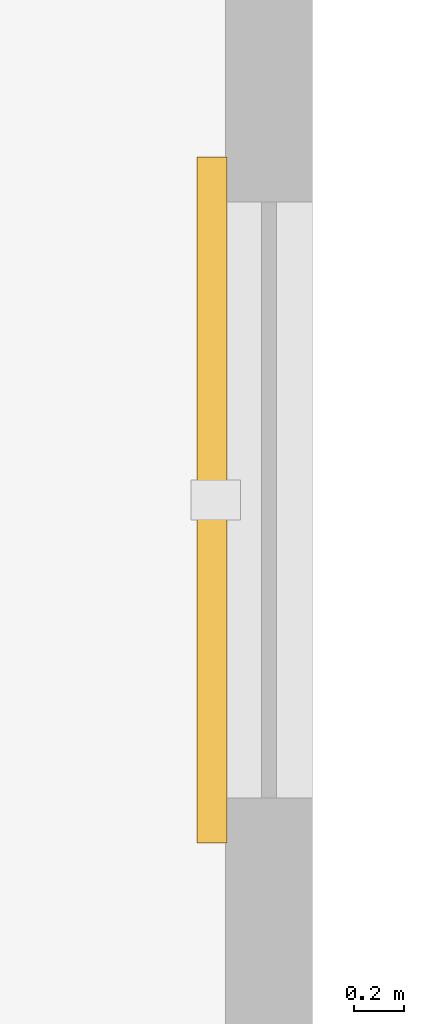
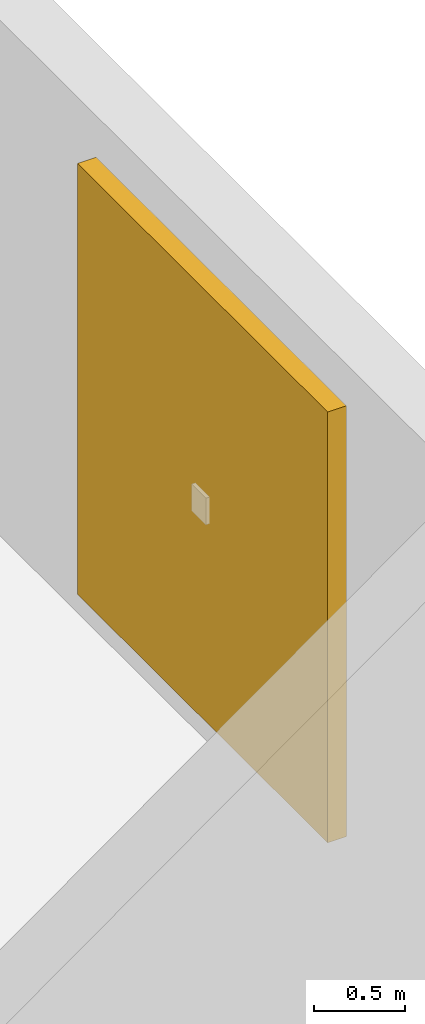
# One storey, part 17 of 17: 1 shading device.
"""IFC4 building model written with IfcOpenShell, lengths in metres."""

from ifc_helpers import new_model, si_unit, direction, frame, origin, origin_2d, place, context, subcontext, project, spatial, rectangle, extrude, material, layer, layer_set, type_object, element, save


model = new_model("IFC4")

# Units and contexts
model_context = context("Model", 3, precision=1e-05, world=origin(), true_north=direction((0.0, 1.0)))
body_context = subcontext(model_context, "Body", "Model", "MODEL_VIEW")
ifc_project = project(units=[si_unit("LENGTHUNIT", "METRE"), si_unit("AREAUNIT", "SQUARE_METRE"), si_unit("VOLUMEUNIT", "CUBIC_METRE"), si_unit("PLANEANGLEUNIT", "RADIAN"), si_unit("MASSUNIT", "GRAM", prefix="KILO")], contexts=[model_context])

# Site, building, storey
site_placement = place(None, origin())
site = spatial("IfcSite", under=ifc_project, at=site_placement, CompositionType="ELEMENT")
building_placement = place(site_placement, origin())
building = spatial("IfcBuilding", under=site, at=building_placement, Name="Koriwani Terraces Tower", CompositionType="ELEMENT")
storey_placement = place(building_placement, frame((0.0, 0.0, 237.89990234375)))
storey = spatial("IfcBuildingStorey", under=building, at=storey_placement, Name="L58", CompositionType="ELEMENT", Elevation=237.89990234375)

# Shading device
ifc_material = material(Name="Extruded Terracotta Clay", Category="masonry")
ifc_layer = layer(ifc_material, 0.1201171875, Name="Extruded Terracotta Clay")
ifc_layer_set = layer_set([ifc_layer], Name="Extruded Terracotta Clay")
shading_device_type = type_object("IfcShadingDeviceType", Name="TERRACOTTA_BAGUETTE_SCREEN_2800", PredefinedType="USERDEFINED", material=ifc_layer_set)
shading_device_placement = place(storey_placement, frame((75.195068359375, 21.0, 0.28515625), z_axis=(0.0, 0.0, 1.0), x_axis=(0.0, -1.0, 0.0)))
element("IfcShadingDevice", 1, at=shading_device_placement, inside=storey, type_object=shading_device_type, Name="L58 Extruded Terracotta Baguette Screen (E_TIP-3)", ObjectType="BAGUETTE", PredefinedType="USERDEFINED", context=body_context, shape_type="SweptSolid", body=[
    extrude(rectangle(XDim=2.760009765625, YDim=0.1201171875, at=origin_2d()), origin(), (0.0, 0.0, 1.0), 2.89990234375),
])

save(model, "model.ifc")
